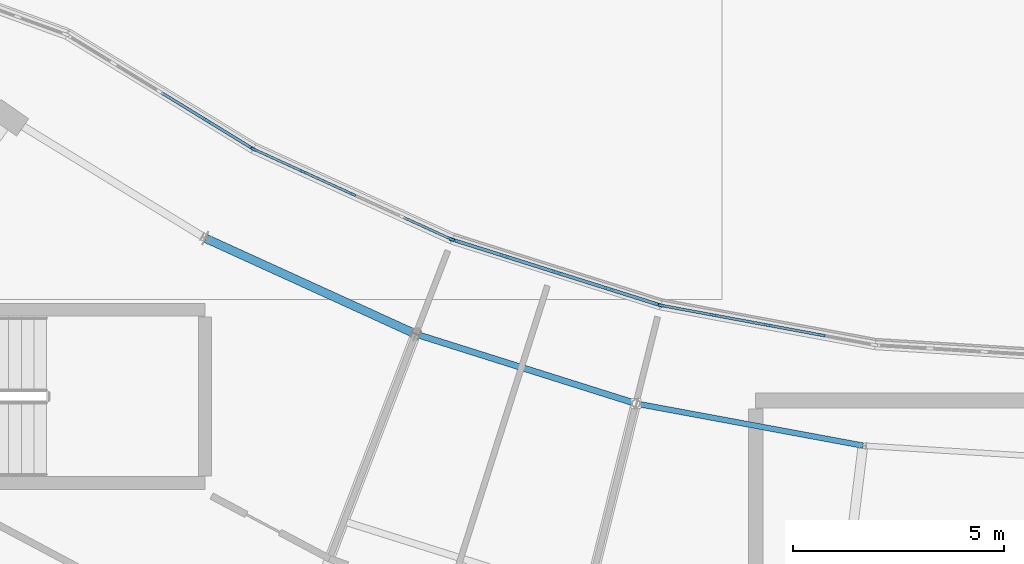
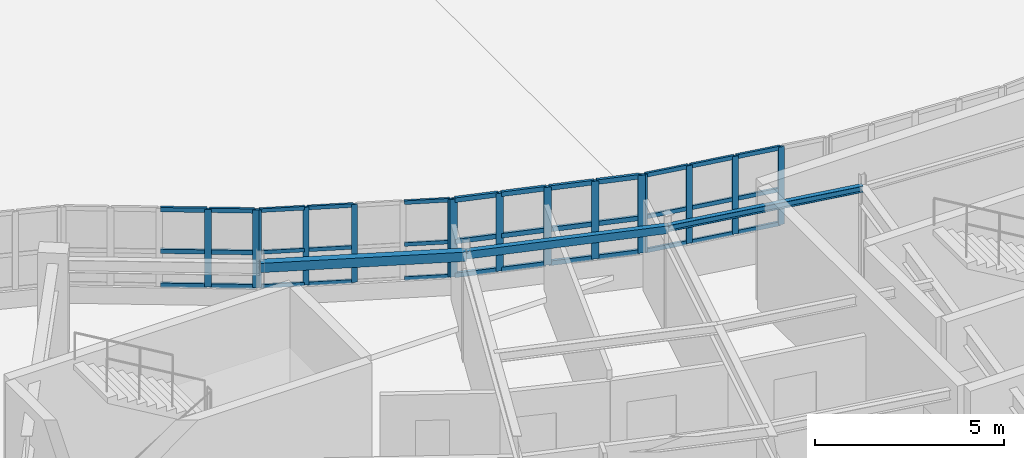
# One storey, part 31 of 128: 51 members, 3 beams, 4 elements without a shape of their own.
"""IFC4 building model written with IfcOpenShell, lengths in metres."""

from ifc_helpers import new_model, si_unit, direction, frame, origin, origin_2d, place, context, subcontext, project, spatial, rectangle, hollow_rectangle, i_section, extrude, material, layer, layer_set, material_profile, profile_set, type_object, element, aggregate, save


model = new_model("IFC4")

# Units and contexts
model_context = context("Model", 3, precision=1e-05, world=origin(), true_north=direction((0.0, 1.0)))
body_context = subcontext(model_context, "Body", "Model", "MODEL_VIEW")
ifc_project = project(units=[si_unit("LENGTHUNIT", "METRE"), si_unit("AREAUNIT", "SQUARE_METRE"), si_unit("VOLUMEUNIT", "CUBIC_METRE"), si_unit("PLANEANGLEUNIT", "RADIAN"), si_unit("MASSUNIT", "GRAM", prefix="KILO")], contexts=[model_context])

# Site, building, storey
site_placement = place(None, origin())
site = spatial("IfcSite", under=ifc_project, at=site_placement, CompositionType="ELEMENT")
building_placement = place(site_placement, origin())
building = spatial("IfcBuilding", under=site, at=building_placement, Name="Tarnwether General Hospital", CompositionType="ELEMENT")
storey_placement = place(building_placement, frame((0.0, 0.0, 14.39990234375)))
storey = spatial("IfcBuildingStorey", under=building, at=storey_placement, Name="L03", CompositionType="ELEMENT", Elevation=14.39990234375)

# Beams
ifc_material_1 = material(Name="Steel Grade C350L0 (350 MPa)", Category="steel")
ifc_material_profile_1 = material_profile(ifc_material_1, hollow_rectangle(XDim=0.199951171875, YDim=0.300048828125, WallThickness=0.012451171875, at=origin_2d()), Name="RHS300x200x12.5")
ifc_profile_set_1 = profile_set([ifc_material_profile_1], Name="Steel Grade C350L0 (350 MPa)")
beam_type_1 = type_object("IfcBeamType", Name="BM-SP3", PredefinedType="SPANDREL", material=ifc_profile_set_1)
beam_1_placement = place(storey_placement, frame((70.968017578125, 23.444091796875, 3.41015625), z_axis=(0.909968605358, -0.414677148228, 0.0), x_axis=(0.414677148228, 0.909968605358, 0.0)))
element("IfcBeam", 1, at=beam_1_placement, inside=storey, type_object=beam_type_1, Name="Curved Ward SE Inner Spandrel BMG-L03-7097_2344-7594_2118-2108", PredefinedType="SPANDREL", context=body_context, shape_type="SweptSolid", body=[
    extrude(hollow_rectangle(XDim=0.199951171875, YDim=0.300048828125, WallThickness=0.012451171875, at=origin_2d()), origin(), (0.0, 0.0, 1.0), 5.469482421875),
])
ifc_material_2 = material(Name="Steel Grade C350L0 (350 MPa)", Category="steel")
ifc_material_profile_2 = material_profile(ifc_material_2, hollow_rectangle(XDim=0.14990234375, YDim=0.25, WallThickness=0.010009765625, at=origin_2d()), Name="RHS250x150x10")
ifc_profile_set_2 = profile_set([ifc_material_profile_2], Name="Steel Grade C350L0 (350 MPa)")
beam_type_2 = type_object("IfcBeamType", Name="BM-SP4", PredefinedType="SPANDREL", material=ifc_profile_set_2)
beam_2_placement = place(storey_placement, frame((75.945068359375, 21.176025390625, 3.43505859375), z_axis=(0.953712084488, -0.300721232874, 0.0), x_axis=(0.300721232874, 0.953712084488, 0.0)))
element("IfcBeam", 2, at=beam_2_placement, inside=storey, type_object=beam_type_2, Name="Curved Ward SE Inner Spandrel BMG-L03-7594_2118-8116_1953-2110", PredefinedType="SPANDREL", context=body_context, shape_type="SweptSolid", body=[
    extrude(hollow_rectangle(XDim=0.14990234375, YDim=0.25, WallThickness=0.010009765625, at=origin_2d()), origin(), (0.0, 0.0, 1.0), 5.47021484375),
])
ifc_material_3 = material(Name="Steel Grade 350 (350 MPa)", Category="steel")
ifc_material_profile_3 = material_profile(ifc_material_3, i_section(OverallWidth=0.133056640625, OverallDepth=0.202880859375, WebThickness=0.005859375, FlangeThickness=0.0078125, at=origin_2d()), Name="200UB25.4")
ifc_profile_set_3 = profile_set([ifc_material_profile_3], Name="Steel Grade 350 (350 MPa)")
beam_type_3 = type_object("IfcBeamType", Name="BM-SP5", PredefinedType="SPANDREL", material=ifc_profile_set_3)
beam_3_placement = place(storey_placement, frame((81.162109375, 19.531005859375, 3.45849609375), z_axis=(0.983244096291, -0.18229384825, 0.0), x_axis=(0.18229384825, 0.983244096291, 0.0)))
element("IfcBeam", 3, at=beam_3_placement, inside=storey, type_object=beam_type_3, Name="Curved Ward SE Inner Spandrel BMG-L03-8116_1953-8654_1853-2114", PredefinedType="SPANDREL", context=body_context, shape_type="SweptSolid", body=[
    extrude(i_section(OverallWidth=0.133056640625, OverallDepth=0.202880859375, WebThickness=0.005859375, FlangeThickness=0.0078125, at=origin_2d()), origin(), (0.0, 0.0, 1.0), 5.469482421875),
])

# Curtain wall, members
ifc_material_4 = material(Name="Anodised aluminium", Category="aluminium")
ifc_layer = layer(ifc_material_4, 0.159912109375)
ifc_layer_set = layer_set([ifc_layer], Name="Anodised aluminium")
curtain_wall_type = type_object("IfcCurtainWallType", Name="CW-04", PredefinedType="NOTDEFINED", material=ifc_layer_set)
curtain_wall_1_placement = place(storey_placement, origin())
curtain_wall_1 = element("IfcCurtainWall", 4, at=curtain_wall_1_placement, inside=storey, type_object=curtain_wall_type, Name="Curtain Wall CWG-L03-721_256-0178", PredefinedType="NOTDEFINED")
ifc_material_5 = material(Name="Anodised aluminium", Category="aluminium")
ifc_material_profile_4 = material_profile(ifc_material_5, rectangle(XDim=0.06005859375, YDim=0.159912109375, at=origin_2d()), Name="ALU-MUL-60x160")
ifc_profile_set_4 = profile_set([ifc_material_profile_4], Name="Anodised aluminium")
member_type_1 = type_object("IfcMemberType", Name="CW-ML1", PredefinedType="MULLION", material=ifc_profile_set_4)
member_1_placement = place(storey_placement, frame((72.121337890625, 25.550537109375, 1.050048828125), z_axis=(0.0, 0.0, 1.0), x_axis=(0.41470501572, 0.90995590549, 0.0)))
member_1 = element("IfcMember", 5, at=member_1_placement, type_object=member_type_1, Name="CW-04 mullion 1", PredefinedType="MULLION", context=body_context, shape_type="SweptSolid", body=[
    extrude(rectangle(XDim=0.06005859375, YDim=0.159912109375, at=origin_2d()), origin(), (0.0, 0.0, 1.0), 2.510009765625),
])
member_2_placement = place(storey_placement, frame((73.271728515625, 25.0263671875, 1.050048828125), z_axis=(0.0, 0.0, 1.0), x_axis=(0.41470501572, 0.90995590549, 0.0)))
member_2 = element("IfcMember", 6, at=member_2_placement, type_object=member_type_1, Name="CW-04 mullion 2", PredefinedType="MULLION", context=body_context, shape_type="SweptSolid", body=[
    extrude(rectangle(XDim=0.06005859375, YDim=0.159912109375, at=origin_2d()), origin(), (0.0, 0.0, 1.0), 2.510009765625),
])
member_3_placement = place(storey_placement, frame((74.449462890625, 24.489501953125, 1.050048828125), z_axis=(0.0, 0.0, 1.0), x_axis=(0.41470501572, 0.90995590549, 0.0)))
member_3 = element("IfcMember", 7, at=member_3_placement, type_object=member_type_1, Name="CW-04 mullion 3", PredefinedType="MULLION", context=body_context, shape_type="SweptSolid", body=[
    extrude(rectangle(XDim=0.06005859375, YDim=0.159912109375, at=origin_2d()), origin(), (0.0, 0.0, 1.0), 2.510009765625),
])
member_4_placement = place(storey_placement, frame((76.777587890625, 23.428466796875, 1.050048828125), z_axis=(0.0, 0.0, 1.0), x_axis=(0.41470501572, 0.90995590549, 0.0)))
member_4 = element("IfcMember", 8, at=member_4_placement, type_object=member_type_1, Name="CW-04 mullion 5", PredefinedType="MULLION", context=body_context, shape_type="SweptSolid", body=[
    extrude(rectangle(XDim=0.06005859375, YDim=0.159912109375, at=origin_2d()), origin(), (0.0, 0.0, 1.0), 2.510009765625),
])

curtain_wall_2_placement = place(storey_placement, origin())
curtain_wall_2 = element("IfcCurtainWall", 9, at=curtain_wall_2_placement, inside=storey, type_object=curtain_wall_type, Name="Curtain Wall CWG-L03-677_283-0179", PredefinedType="NOTDEFINED")
ifc_material_6 = material(Name="Anodised aluminium", Category="aluminium")
ifc_material_profile_5 = material_profile(ifc_material_6, rectangle(XDim=0.070068359375, YDim=0.179931640625, at=origin_2d()), Name="ALU-MUL-70x180")
ifc_profile_set_5 = profile_set([ifc_material_profile_5], Name="Anodised aluminium")
member_type_2 = type_object("IfcMemberType", Name="CW-ML2", PredefinedType="MULLION", material=ifc_profile_set_5)
member_5_placement = place(storey_placement, frame((70.990478515625, 26.2392578125, 1.050048828125), z_axis=(0.0, 0.0, 1.0), x_axis=(0.522512231483, 0.852631789198, 0.0)))
member_5 = element("IfcMember", 10, at=member_5_placement, type_object=member_type_2, Name="CW-04 mullion 4", PredefinedType="MULLION", context=body_context, shape_type="SweptSolid", body=[
    extrude(rectangle(XDim=0.070068359375, YDim=0.179931640625, at=origin_2d()), origin(), (0.0, 0.0, 1.0), 2.510009765625),
])
member_6_placement = place(storey_placement, frame((72.064208984375, 25.581298828125, 1.050048828125), z_axis=(0.0, 0.0, 1.0), x_axis=(0.522512231483, 0.852631789198, 0.0)))
member_6 = element("IfcMember", 11, at=member_6_placement, type_object=member_type_2, Name="CW-04 mullion 5", PredefinedType="MULLION", context=body_context, shape_type="SweptSolid", body=[
    extrude(rectangle(XDim=0.070068359375, YDim=0.179931640625, at=origin_2d()), origin(), (0.0, 0.0, 1.0), 2.510009765625),
])

curtain_wall_3_placement = place(storey_placement, origin())
curtain_wall_3 = element("IfcCurtainWall", 12, at=curtain_wall_3_placement, inside=storey, type_object=curtain_wall_type, Name="Curtain Wall CWG-L03-817_219-0176", PredefinedType="NOTDEFINED")
ifc_material_7 = material(Name="Anodised aluminium", Category="aluminium")
ifc_material_profile_6 = material_profile(ifc_material_7, rectangle(XDim=0.06494140625, YDim=0.169921875, at=origin_2d()), Name="ALU-MUL-65x170")
ifc_profile_set_6 = profile_set([ifc_material_profile_6], Name="Anodised aluminium")
member_type_3 = type_object("IfcMemberType", Name="CW-ML3", PredefinedType="MULLION", material=ifc_profile_set_6)
member_7_placement = place(storey_placement, frame((81.77490234375, 21.85302734375, 1.050048828125), z_axis=(0.0, 0.0, 1.0), x_axis=(0.182165351666, 0.983267910924, 0.0)))
member_7 = element("IfcMember", 13, at=member_7_placement, type_object=member_type_3, Name="CW-04 mullion 1", PredefinedType="MULLION", context=body_context, shape_type="SweptSolid", body=[
    extrude(rectangle(XDim=0.06494140625, YDim=0.169921875, at=origin_2d()), origin(), (0.0, 0.0, 1.0), 2.510009765625),
])
member_8_placement = place(storey_placement, frame((83.015380859375, 21.623291015625, 1.050048828125), z_axis=(0.0, 0.0, 1.0), x_axis=(0.182165351666, 0.983267910924, 0.0)))
member_8 = element("IfcMember", 14, at=member_8_placement, type_object=member_type_3, Name="CW-04 mullion 2", PredefinedType="MULLION", context=body_context, shape_type="SweptSolid", body=[
    extrude(rectangle(XDim=0.06494140625, YDim=0.169921875, at=origin_2d()), origin(), (0.0, 0.0, 1.0), 2.510009765625),
])
member_9_placement = place(storey_placement, frame((84.2880859375, 21.387451171875, 1.050048828125), z_axis=(0.0, 0.0, 1.0), x_axis=(0.182165351666, 0.983267910924, 0.0)))
member_9 = element("IfcMember", 15, at=member_9_placement, type_object=member_type_3, Name="CW-04 mullion 3", PredefinedType="MULLION", context=body_context, shape_type="SweptSolid", body=[
    extrude(rectangle(XDim=0.06494140625, YDim=0.169921875, at=origin_2d()), origin(), (0.0, 0.0, 1.0), 2.510009765625),
])
member_10_placement = place(storey_placement, frame((85.560546875, 21.15185546875, 1.050048828125), z_axis=(0.0, 0.0, 1.0), x_axis=(0.182165351666, 0.983267910924, 0.0)))
member_10 = element("IfcMember", 16, at=member_10_placement, type_object=member_type_3, Name="CW-04 mullion 4", PredefinedType="MULLION", context=body_context, shape_type="SweptSolid", body=[
    extrude(rectangle(XDim=0.06494140625, YDim=0.169921875, at=origin_2d()), origin(), (0.0, 0.0, 1.0), 2.510009765625),
])

curtain_wall_4_placement = place(storey_placement, origin())
curtain_wall_4 = element("IfcCurtainWall", 17, at=curtain_wall_4_placement, inside=storey, type_object=curtain_wall_type, Name="Curtain Wall CWG-L03-768_234-0177", PredefinedType="NOTDEFINED")
ifc_material_8 = material(Name="Anodised aluminium", Category="aluminium")
ifc_material_profile_7 = material_profile(ifc_material_8, rectangle(XDim=0.080078125, YDim=0.199951171875, at=origin_2d()), Name="ALU-MUL-80x200")
ifc_profile_set_7 = profile_set([ifc_material_profile_7], Name="Anodised aluminium")
member_type_4 = type_object("IfcMemberType", Name="CW-ML4", PredefinedType="MULLION", material=ifc_profile_set_7)
member_11_placement = place(storey_placement, frame((76.84326171875, 23.404052734375, 1.050048828125), z_axis=(0.0, 0.0, 1.0), x_axis=(0.30071538783, 0.953713927508, 0.0)))
member_11 = element("IfcMember", 18, at=member_11_placement, type_object=member_type_4, Name="CW-04 mullion 1", PredefinedType="MULLION", context=body_context, shape_type="SweptSolid", body=[
    extrude(rectangle(XDim=0.080078125, YDim=0.199951171875, at=origin_2d()), origin(), (0.0, 0.0, 1.0), 2.510009765625),
])
member_12_placement = place(storey_placement, frame((78.03955078125, 23.02685546875, 1.050048828125), z_axis=(0.0, 0.0, 1.0), x_axis=(0.30071538783, 0.953713927508, 0.0)))
member_12 = element("IfcMember", 19, at=member_12_placement, type_object=member_type_4, Name="CW-04 mullion 2", PredefinedType="MULLION", context=body_context, shape_type="SweptSolid", body=[
    extrude(rectangle(XDim=0.080078125, YDim=0.199951171875, at=origin_2d()), origin(), (0.0, 0.0, 1.0), 2.510009765625),
])
member_13_placement = place(storey_placement, frame((79.27392578125, 22.637451171875, 1.050048828125), z_axis=(0.0, 0.0, 1.0), x_axis=(0.30071538783, 0.953713927508, 0.0)))
member_13 = element("IfcMember", 20, at=member_13_placement, type_object=member_type_4, Name="CW-04 mullion 3", PredefinedType="MULLION", context=body_context, shape_type="SweptSolid", body=[
    extrude(rectangle(XDim=0.080078125, YDim=0.199951171875, at=origin_2d()), origin(), (0.0, 0.0, 1.0), 2.510009765625),
])
member_14_placement = place(storey_placement, frame((80.508544921875, 22.248291015625, 1.050048828125), z_axis=(0.0, 0.0, 1.0), x_axis=(0.30071538783, 0.953713927508, 0.0)))
member_14 = element("IfcMember", 21, at=member_14_placement, type_object=member_type_4, Name="CW-04 mullion 4", PredefinedType="MULLION", context=body_context, shape_type="SweptSolid", body=[
    extrude(rectangle(XDim=0.080078125, YDim=0.199951171875, at=origin_2d()), origin(), (0.0, 0.0, 1.0), 2.510009765625),
])
member_15_placement = place(storey_placement, frame((81.704833984375, 21.87109375, 1.050048828125), z_axis=(0.0, 0.0, 1.0), x_axis=(0.30071538783, 0.953713927508, 0.0)))
member_15 = element("IfcMember", 22, at=member_15_placement, type_object=member_type_4, Name="CW-04 mullion 5", PredefinedType="MULLION", context=body_context, shape_type="SweptSolid", body=[
    extrude(rectangle(XDim=0.080078125, YDim=0.199951171875, at=origin_2d()), origin(), (0.0, 0.0, 1.0), 2.510009765625),
])

# Member
ifc_material_9 = material(Name="Anodised aluminium", Category="aluminium")
ifc_material_profile_8 = material_profile(ifc_material_9, rectangle(XDim=0.06005859375, YDim=0.1201171875, at=origin_2d()), Name="ALU-TRN-60x120")
ifc_profile_set_8 = profile_set([ifc_material_profile_8], Name="Anodised aluminium")
member_type_5 = type_object("IfcMemberType", Name="CW-TR1", PredefinedType="USERDEFINED", material=ifc_profile_set_8)
member_16_placement = place(storey_placement, frame((72.148681640625, 25.5380859375, 1.080078125), z_axis=(0.90990766598, -0.414810847726, 0.0), x_axis=(0.414810847726, 0.90990766598, 0.0)))
member_16 = element("IfcMember", 23, at=member_16_placement, type_object=member_type_5, Name="CW-04 transom 1.1", ObjectType="TRANSOM", PredefinedType="USERDEFINED", context=body_context, shape_type="SweptSolid", body=[
    extrude(rectangle(XDim=0.06005859375, YDim=0.1201171875, at=origin_2d()), origin(), (0.0, 0.0, 1.0), 1.2041015625),
])

member_17_placement = place(storey_placement, frame((72.148681640625, 25.5380859375, 2.1796875), z_axis=(0.90990766598, -0.414810847726, 0.0), x_axis=(0.414810847726, 0.90990766598, 0.0)))
member_17 = element("IfcMember", 24, at=member_17_placement, type_object=member_type_5, Name="CW-04 transom 1.2", ObjectType="TRANSOM", PredefinedType="USERDEFINED", context=body_context, shape_type="SweptSolid", body=[
    extrude(rectangle(XDim=0.06005859375, YDim=0.1201171875, at=origin_2d()), origin(), (0.0, 0.0, 1.0), 1.2041015625),
])

member_18_placement = place(storey_placement, frame((72.148681640625, 25.5380859375, 3.530029296875), z_axis=(0.90990766598, -0.414810847726, 0.0), x_axis=(0.414810847726, 0.90990766598, 0.0)))
member_18 = element("IfcMember", 25, at=member_18_placement, type_object=member_type_5, Name="CW-04 transom 1.3", ObjectType="TRANSOM", PredefinedType="USERDEFINED", context=body_context, shape_type="SweptSolid", body=[
    extrude(rectangle(XDim=0.06005859375, YDim=0.1201171875, at=origin_2d()), origin(), (0.0, 0.0, 1.0), 1.2041015625),
])

member_19_placement = place(storey_placement, frame((73.299072265625, 25.013916015625, 1.080078125), z_axis=(0.909912057704, -0.414801214132, 0.0), x_axis=(0.414801214132, 0.909912057704, 0.0)))
member_19 = element("IfcMember", 26, at=member_19_placement, type_object=member_type_5, Name="CW-04 transom 2.1", ObjectType="TRANSOM", PredefinedType="USERDEFINED", context=body_context, shape_type="SweptSolid", body=[
    extrude(rectangle(XDim=0.06005859375, YDim=0.1201171875, at=origin_2d()), origin(), (0.0, 0.0, 1.0), 1.234130859375),
])

member_20_placement = place(storey_placement, frame((73.299072265625, 25.013916015625, 2.1796875), z_axis=(0.909912057704, -0.414801214132, 0.0), x_axis=(0.414801214132, 0.909912057704, 0.0)))
member_20 = element("IfcMember", 27, at=member_20_placement, type_object=member_type_5, Name="CW-04 transom 2.2", ObjectType="TRANSOM", PredefinedType="USERDEFINED", context=body_context, shape_type="SweptSolid", body=[
    extrude(rectangle(XDim=0.06005859375, YDim=0.1201171875, at=origin_2d()), origin(), (0.0, 0.0, 1.0), 1.234130859375),
])

member_21_placement = place(storey_placement, frame((73.299072265625, 25.013916015625, 3.530029296875), z_axis=(0.909912057704, -0.414801214132, 0.0), x_axis=(0.414801214132, 0.909912057704, 0.0)))
member_21 = element("IfcMember", 28, at=member_21_placement, type_object=member_type_5, Name="CW-04 transom 2.3", ObjectType="TRANSOM", PredefinedType="USERDEFINED", context=body_context, shape_type="SweptSolid", body=[
    extrude(rectangle(XDim=0.06005859375, YDim=0.1201171875, at=origin_2d()), origin(), (0.0, 0.0, 1.0), 1.234130859375),
])

member_22_placement = place(storey_placement, frame((75.654541015625, 23.9404296875, 1.080078125), z_axis=(0.909942541807, -0.414734337389, 0.0), x_axis=(0.414734337389, 0.909942541807, 0.0)))
member_22 = element("IfcMember", 29, at=member_22_placement, type_object=member_type_5, Name="CW-04 transom 4.1", ObjectType="TRANSOM", PredefinedType="USERDEFINED", context=body_context, shape_type="SweptSolid", body=[
    extrude(rectangle(XDim=0.06005859375, YDim=0.1201171875, at=origin_2d()), origin(), (0.0, 0.0, 1.0), 1.204345703125),
])

member_23_placement = place(storey_placement, frame((75.654541015625, 23.9404296875, 2.1796875), z_axis=(0.909942541807, -0.414734337389, 0.0), x_axis=(0.414734337389, 0.909942541807, 0.0)))
member_23 = element("IfcMember", 30, at=member_23_placement, type_object=member_type_5, Name="CW-04 transom 4.2", ObjectType="TRANSOM", PredefinedType="USERDEFINED", context=body_context, shape_type="SweptSolid", body=[
    extrude(rectangle(XDim=0.06005859375, YDim=0.1201171875, at=origin_2d()), origin(), (0.0, 0.0, 1.0), 1.204345703125),
])

member_24_placement = place(storey_placement, frame((75.654541015625, 23.9404296875, 3.530029296875), z_axis=(0.909942541807, -0.414734337389, 0.0), x_axis=(0.414734337389, 0.909942541807, 0.0)))
member_24 = element("IfcMember", 31, at=member_24_placement, type_object=member_type_5, Name="CW-04 transom 4.3", ObjectType="TRANSOM", PredefinedType="USERDEFINED", context=body_context, shape_type="SweptSolid", body=[
    extrude(rectangle(XDim=0.06005859375, YDim=0.1201171875, at=origin_2d()), origin(), (0.0, 0.0, 1.0), 1.204345703125),
])

aggregate(curtain_wall_1, [member_1, member_2, member_3, member_4, member_16, member_17, member_18, member_19, member_20, member_21, member_22, member_23, member_24])

ifc_material_10 = material(Name="Anodised aluminium", Category="aluminium")
ifc_material_profile_9 = material_profile(ifc_material_10, rectangle(XDim=0.070068359375, YDim=0.139892578125, at=origin_2d()), Name="ALU-TRN-70x140")
ifc_profile_set_9 = profile_set([ifc_material_profile_9], Name="Anodised aluminium")
member_type_6 = type_object("IfcMemberType", Name="CW-TR2", PredefinedType="USERDEFINED", material=ifc_profile_set_9)
member_25_placement = place(storey_placement, frame((69.916748046875, 26.897216796875, 1.085205078125), z_axis=(0.852670027324, -0.522449829651, 0.0), x_axis=(0.522449829651, 0.852670027324, 0.0)))
member_25 = element("IfcMember", 32, at=member_25_placement, type_object=member_type_6, Name="CW-04 transom 3.1", ObjectType="TRANSOM", PredefinedType="USERDEFINED", context=body_context, shape_type="SweptSolid", body=[
    extrude(rectangle(XDim=0.070068359375, YDim=0.139892578125, at=origin_2d()), origin(), (0.0, 0.0, 1.0), 1.224365234375),
])

member_26_placement = place(storey_placement, frame((69.916748046875, 26.897216796875, 2.1796875), z_axis=(0.852670027324, -0.522449829651, 0.0), x_axis=(0.522449829651, 0.852670027324, 0.0)))
member_26 = element("IfcMember", 33, at=member_26_placement, type_object=member_type_6, Name="CW-04 transom 3.2", ObjectType="TRANSOM", PredefinedType="USERDEFINED", context=body_context, shape_type="SweptSolid", body=[
    extrude(rectangle(XDim=0.070068359375, YDim=0.139892578125, at=origin_2d()), origin(), (0.0, 0.0, 1.0), 1.224365234375),
])

member_27_placement = place(storey_placement, frame((69.916748046875, 26.897216796875, 3.525146484375), z_axis=(0.852670027324, -0.522449829651, 0.0), x_axis=(0.522449829651, 0.852670027324, 0.0)))
member_27 = element("IfcMember", 34, at=member_27_placement, type_object=member_type_6, Name="CW-04 transom 3.3", ObjectType="TRANSOM", PredefinedType="USERDEFINED", context=body_context, shape_type="SweptSolid", body=[
    extrude(rectangle(XDim=0.070068359375, YDim=0.139892578125, at=origin_2d()), origin(), (0.0, 0.0, 1.0), 1.224365234375),
])

member_28_placement = place(storey_placement, frame((71.020263671875, 26.220947265625, 1.085205078125), z_axis=(0.852692694866, -0.522412833037, 0.0), x_axis=(0.522412833037, 0.852692694866, 0.0)))
member_28 = element("IfcMember", 35, at=member_28_placement, type_object=member_type_6, Name="CW-04 transom 4.1", ObjectType="TRANSOM", PredefinedType="USERDEFINED", context=body_context, shape_type="SweptSolid", body=[
    extrude(rectangle(XDim=0.070068359375, YDim=0.139892578125, at=origin_2d()), origin(), (0.0, 0.0, 1.0), 1.189453125),
])

member_29_placement = place(storey_placement, frame((71.020263671875, 26.220947265625, 2.1796875), z_axis=(0.852692694866, -0.522412833037, 0.0), x_axis=(0.522412833037, 0.852692694866, 0.0)))
member_29 = element("IfcMember", 36, at=member_29_placement, type_object=member_type_6, Name="CW-04 transom 4.2", ObjectType="TRANSOM", PredefinedType="USERDEFINED", context=body_context, shape_type="SweptSolid", body=[
    extrude(rectangle(XDim=0.070068359375, YDim=0.139892578125, at=origin_2d()), origin(), (0.0, 0.0, 1.0), 1.189453125),
])

member_30_placement = place(storey_placement, frame((71.020263671875, 26.220947265625, 3.525146484375), z_axis=(0.852692694866, -0.522412833037, 0.0), x_axis=(0.522412833037, 0.852692694866, 0.0)))
member_30 = element("IfcMember", 37, at=member_30_placement, type_object=member_type_6, Name="CW-04 transom 4.3", ObjectType="TRANSOM", PredefinedType="USERDEFINED", context=body_context, shape_type="SweptSolid", body=[
    extrude(rectangle(XDim=0.070068359375, YDim=0.139892578125, at=origin_2d()), origin(), (0.0, 0.0, 1.0), 1.189453125),
])

aggregate(curtain_wall_2, [member_5, member_6, member_25, member_26, member_27, member_28, member_29, member_30])

ifc_material_11 = material(Name="Anodised aluminium", Category="aluminium")
ifc_material_profile_10 = material_profile(ifc_material_11, rectangle(XDim=0.06494140625, YDim=0.1298828125, at=origin_2d()), Name="ALU-TRN-65x130")
ifc_profile_set_10 = profile_set([ifc_material_profile_10], Name="Anodised aluminium")
member_type_7 = type_object("IfcMemberType", Name="CW-TR3", PredefinedType="USERDEFINED", material=ifc_profile_set_10)
member_31_placement = place(storey_placement, frame((81.806884765625, 21.84716796875, 1.08251953125), z_axis=(0.983267121259, -0.182169613959, 0.0), x_axis=(0.182169613959, 0.983267121259, 0.0)))
member_31 = element("IfcMember", 38, at=member_31_placement, type_object=member_type_7, Name="CW-04 transom 1.1", ObjectType="TRANSOM", PredefinedType="USERDEFINED", context=body_context, shape_type="SweptSolid", body=[
    extrude(rectangle(XDim=0.06494140625, YDim=0.1298828125, at=origin_2d()), origin(), (0.0, 0.0, 1.0), 1.19677734375),
])

member_32_placement = place(storey_placement, frame((81.806884765625, 21.84716796875, 2.1796875), z_axis=(0.983267121259, -0.182169613959, 0.0), x_axis=(0.182169613959, 0.983267121259, 0.0)))
member_32 = element("IfcMember", 39, at=member_32_placement, type_object=member_type_7, Name="CW-04 transom 1.2", ObjectType="TRANSOM", PredefinedType="USERDEFINED", context=body_context, shape_type="SweptSolid", body=[
    extrude(rectangle(XDim=0.06494140625, YDim=0.1298828125, at=origin_2d()), origin(), (0.0, 0.0, 1.0), 1.19677734375),
])

member_33_placement = place(storey_placement, frame((81.806884765625, 21.84716796875, 3.527587890625), z_axis=(0.983267121259, -0.182169613959, 0.0), x_axis=(0.182169613959, 0.983267121259, 0.0)))
member_33 = element("IfcMember", 40, at=member_33_placement, type_object=member_type_7, Name="CW-04 transom 1.3", ObjectType="TRANSOM", PredefinedType="USERDEFINED", context=body_context, shape_type="SweptSolid", body=[
    extrude(rectangle(XDim=0.06494140625, YDim=0.1298828125, at=origin_2d()), origin(), (0.0, 0.0, 1.0), 1.19677734375),
])

member_34_placement = place(storey_placement, frame((83.04736328125, 21.617431640625, 1.08251953125), z_axis=(0.983241155151, -0.182309711256, 0.0), x_axis=(0.182309711256, 0.983241155151, 0.0)))
member_34 = element("IfcMember", 41, at=member_34_placement, type_object=member_type_7, Name="CW-04 transom 2.1", ObjectType="TRANSOM", PredefinedType="USERDEFINED", context=body_context, shape_type="SweptSolid", body=[
    extrude(rectangle(XDim=0.06494140625, YDim=0.1298828125, at=origin_2d()), origin(), (0.0, 0.0, 1.0), 1.229248046875),
])

member_35_placement = place(storey_placement, frame((83.04736328125, 21.617431640625, 2.1796875), z_axis=(0.983241155151, -0.182309711256, 0.0), x_axis=(0.182309711256, 0.983241155151, 0.0)))
member_35 = element("IfcMember", 42, at=member_35_placement, type_object=member_type_7, Name="CW-04 transom 2.2", ObjectType="TRANSOM", PredefinedType="USERDEFINED", context=body_context, shape_type="SweptSolid", body=[
    extrude(rectangle(XDim=0.06494140625, YDim=0.1298828125, at=origin_2d()), origin(), (0.0, 0.0, 1.0), 1.229248046875),
])

member_36_placement = place(storey_placement, frame((83.04736328125, 21.617431640625, 3.527587890625), z_axis=(0.983241155151, -0.182309711256, 0.0), x_axis=(0.182309711256, 0.983241155151, 0.0)))
member_36 = element("IfcMember", 43, at=member_36_placement, type_object=member_type_7, Name="CW-04 transom 2.3", ObjectType="TRANSOM", PredefinedType="USERDEFINED", context=body_context, shape_type="SweptSolid", body=[
    extrude(rectangle(XDim=0.06494140625, YDim=0.1298828125, at=origin_2d()), origin(), (0.0, 0.0, 1.0), 1.229248046875),
])

member_37_placement = place(storey_placement, frame((84.320068359375, 21.381591796875, 1.08251953125), z_axis=(0.983270147702, -0.182153277867, 0.0), x_axis=(0.182153277867, 0.983270147702, 0.0)))
member_37 = element("IfcMember", 44, at=member_37_placement, type_object=member_type_7, Name="CW-04 transom 3.1", ObjectType="TRANSOM", PredefinedType="USERDEFINED", context=body_context, shape_type="SweptSolid", body=[
    extrude(rectangle(XDim=0.06494140625, YDim=0.1298828125, at=origin_2d()), origin(), (0.0, 0.0, 1.0), 1.22900390625),
])

member_38_placement = place(storey_placement, frame((84.320068359375, 21.381591796875, 2.1796875), z_axis=(0.983270147702, -0.182153277867, 0.0), x_axis=(0.182153277867, 0.983270147702, 0.0)))
member_38 = element("IfcMember", 45, at=member_38_placement, type_object=member_type_7, Name="CW-04 transom 3.2", ObjectType="TRANSOM", PredefinedType="USERDEFINED", context=body_context, shape_type="SweptSolid", body=[
    extrude(rectangle(XDim=0.06494140625, YDim=0.1298828125, at=origin_2d()), origin(), (0.0, 0.0, 1.0), 1.22900390625),
])

member_39_placement = place(storey_placement, frame((84.320068359375, 21.381591796875, 3.527587890625), z_axis=(0.983270147702, -0.182153277867, 0.0), x_axis=(0.182153277867, 0.983270147702, 0.0)))
member_39 = element("IfcMember", 46, at=member_39_placement, type_object=member_type_7, Name="CW-04 transom 3.3", ObjectType="TRANSOM", PredefinedType="USERDEFINED", context=body_context, shape_type="SweptSolid", body=[
    extrude(rectangle(XDim=0.06494140625, YDim=0.1298828125, at=origin_2d()), origin(), (0.0, 0.0, 1.0), 1.22900390625),
])

aggregate(curtain_wall_3, [member_7, member_8, member_9, member_10, member_31, member_32, member_33, member_34, member_35, member_36, member_37, member_38, member_39])

ifc_material_12 = material(Name="Anodised aluminium", Category="aluminium")
ifc_material_profile_11 = material_profile(ifc_material_12, rectangle(XDim=0.080078125, YDim=0.14990234375, at=origin_2d()), Name="ALU-TRN-80x150")
ifc_profile_set_11 = profile_set([ifc_material_profile_11], Name="Anodised aluminium")
member_type_8 = type_object("IfcMemberType", Name="CW-TR4", PredefinedType="USERDEFINED", material=ifc_profile_set_11)
member_40_placement = place(storey_placement, frame((76.88134765625, 23.391845703125, 1.090087890625), z_axis=(0.953752168784, -0.300594079351, 0.0), x_axis=(0.300594079351, 0.953752168784, 0.0)))
member_40 = element("IfcMember", 47, at=member_40_placement, type_object=member_type_8, Name="CW-04 transom 1.1", ObjectType="TRANSOM", PredefinedType="USERDEFINED", context=body_context, shape_type="SweptSolid", body=[
    extrude(rectangle(XDim=0.080078125, YDim=0.14990234375, at=origin_2d()), origin(), (0.0, 0.0, 1.0), 1.17431640625),
])

member_41_placement = place(storey_placement, frame((76.88134765625, 23.391845703125, 2.1796875), z_axis=(0.953752168784, -0.300594079351, 0.0), x_axis=(0.300594079351, 0.953752168784, 0.0)))
member_41 = element("IfcMember", 48, at=member_41_placement, type_object=member_type_8, Name="CW-04 transom 1.2", ObjectType="TRANSOM", PredefinedType="USERDEFINED", context=body_context, shape_type="SweptSolid", body=[
    extrude(rectangle(XDim=0.080078125, YDim=0.14990234375, at=origin_2d()), origin(), (0.0, 0.0, 1.0), 1.17431640625),
])

member_42_placement = place(storey_placement, frame((76.88134765625, 23.391845703125, 3.52001953125), z_axis=(0.953752168784, -0.300594079351, 0.0), x_axis=(0.300594079351, 0.953752168784, 0.0)))
member_42 = element("IfcMember", 49, at=member_42_placement, type_object=member_type_8, Name="CW-04 transom 1.3", ObjectType="TRANSOM", PredefinedType="USERDEFINED", context=body_context, shape_type="SweptSolid", body=[
    extrude(rectangle(XDim=0.080078125, YDim=0.14990234375, at=origin_2d()), origin(), (0.0, 0.0, 1.0), 1.17431640625),
])

member_43_placement = place(storey_placement, frame((78.07763671875, 23.0146484375, 1.090087890625), z_axis=(0.953704119214, -0.300746492905, 0.0), x_axis=(0.300746492905, 0.953704119214, 0.0)))
member_43 = element("IfcMember", 50, at=member_43_placement, type_object=member_type_8, Name="CW-04 transom 2.1", ObjectType="TRANSOM", PredefinedType="USERDEFINED", context=body_context, shape_type="SweptSolid", body=[
    extrude(rectangle(XDim=0.080078125, YDim=0.14990234375, at=origin_2d()), origin(), (0.0, 0.0, 1.0), 1.21435546875),
])

member_44_placement = place(storey_placement, frame((78.07763671875, 23.0146484375, 2.1796875), z_axis=(0.953704119214, -0.300746492905, 0.0), x_axis=(0.300746492905, 0.953704119214, 0.0)))
member_44 = element("IfcMember", 51, at=member_44_placement, type_object=member_type_8, Name="CW-04 transom 2.2", ObjectType="TRANSOM", PredefinedType="USERDEFINED", context=body_context, shape_type="SweptSolid", body=[
    extrude(rectangle(XDim=0.080078125, YDim=0.14990234375, at=origin_2d()), origin(), (0.0, 0.0, 1.0), 1.21435546875),
])

member_45_placement = place(storey_placement, frame((78.07763671875, 23.0146484375, 3.52001953125), z_axis=(0.953704119214, -0.300746492905, 0.0), x_axis=(0.300746492905, 0.953704119214, 0.0)))
member_45 = element("IfcMember", 52, at=member_45_placement, type_object=member_type_8, Name="CW-04 transom 2.3", ObjectType="TRANSOM", PredefinedType="USERDEFINED", context=body_context, shape_type="SweptSolid", body=[
    extrude(rectangle(XDim=0.080078125, YDim=0.14990234375, at=origin_2d()), origin(), (0.0, 0.0, 1.0), 1.21435546875),
])

member_46_placement = place(storey_placement, frame((79.312255859375, 22.62548828125, 1.090087890625), z_axis=(0.953704119214, -0.300746492905, 0.0), x_axis=(0.300746492905, 0.953704119214, 0.0)))
member_46 = element("IfcMember", 53, at=member_46_placement, type_object=member_type_8, Name="CW-04 transom 3.1", ObjectType="TRANSOM", PredefinedType="USERDEFINED", context=body_context, shape_type="SweptSolid", body=[
    extrude(rectangle(XDim=0.080078125, YDim=0.14990234375, at=origin_2d()), origin(), (0.0, 0.0, 1.0), 1.21435546875),
])

member_47_placement = place(storey_placement, frame((79.312255859375, 22.62548828125, 2.1796875), z_axis=(0.953704119214, -0.300746492905, 0.0), x_axis=(0.300746492905, 0.953704119214, 0.0)))
member_47 = element("IfcMember", 54, at=member_47_placement, type_object=member_type_8, Name="CW-04 transom 3.2", ObjectType="TRANSOM", PredefinedType="USERDEFINED", context=body_context, shape_type="SweptSolid", body=[
    extrude(rectangle(XDim=0.080078125, YDim=0.14990234375, at=origin_2d()), origin(), (0.0, 0.0, 1.0), 1.21435546875),
])

member_48_placement = place(storey_placement, frame((79.312255859375, 22.62548828125, 3.52001953125), z_axis=(0.953704119214, -0.300746492905, 0.0), x_axis=(0.300746492905, 0.953704119214, 0.0)))
member_48 = element("IfcMember", 55, at=member_48_placement, type_object=member_type_8, Name="CW-04 transom 3.3", ObjectType="TRANSOM", PredefinedType="USERDEFINED", context=body_context, shape_type="SweptSolid", body=[
    extrude(rectangle(XDim=0.080078125, YDim=0.14990234375, at=origin_2d()), origin(), (0.0, 0.0, 1.0), 1.21435546875),
])

member_49_placement = place(storey_placement, frame((80.546630859375, 22.236328125, 1.090087890625), z_axis=(0.953692556259, -0.300783158001, 0.0), x_axis=(0.300783158001, 0.953692556259, 0.0)))
member_49 = element("IfcMember", 56, at=member_49_placement, type_object=member_type_8, Name="CW-04 transom 4.1", ObjectType="TRANSOM", PredefinedType="USERDEFINED", context=body_context, shape_type="SweptSolid", body=[
    extrude(rectangle(XDim=0.080078125, YDim=0.14990234375, at=origin_2d()), origin(), (0.0, 0.0, 1.0), 1.174560546875),
])

member_50_placement = place(storey_placement, frame((80.546630859375, 22.236328125, 2.1796875), z_axis=(0.953692556259, -0.300783158001, 0.0), x_axis=(0.300783158001, 0.953692556259, 0.0)))
member_50 = element("IfcMember", 57, at=member_50_placement, type_object=member_type_8, Name="CW-04 transom 4.2", ObjectType="TRANSOM", PredefinedType="USERDEFINED", context=body_context, shape_type="SweptSolid", body=[
    extrude(rectangle(XDim=0.080078125, YDim=0.14990234375, at=origin_2d()), origin(), (0.0, 0.0, 1.0), 1.174560546875),
])

member_51_placement = place(storey_placement, frame((80.546630859375, 22.236328125, 3.52001953125), z_axis=(0.953692556259, -0.300783158001, 0.0), x_axis=(0.300783158001, 0.953692556259, 0.0)))
member_51 = element("IfcMember", 58, at=member_51_placement, type_object=member_type_8, Name="CW-04 transom 4.3", ObjectType="TRANSOM", PredefinedType="USERDEFINED", context=body_context, shape_type="SweptSolid", body=[
    extrude(rectangle(XDim=0.080078125, YDim=0.14990234375, at=origin_2d()), origin(), (0.0, 0.0, 1.0), 1.174560546875),
])

aggregate(curtain_wall_4, [member_11, member_12, member_13, member_14, member_15, member_40, member_41, member_42, member_43, member_44, member_45, member_46, member_47, member_48, member_49, member_50, member_51])

save(model, "model.ifc")
